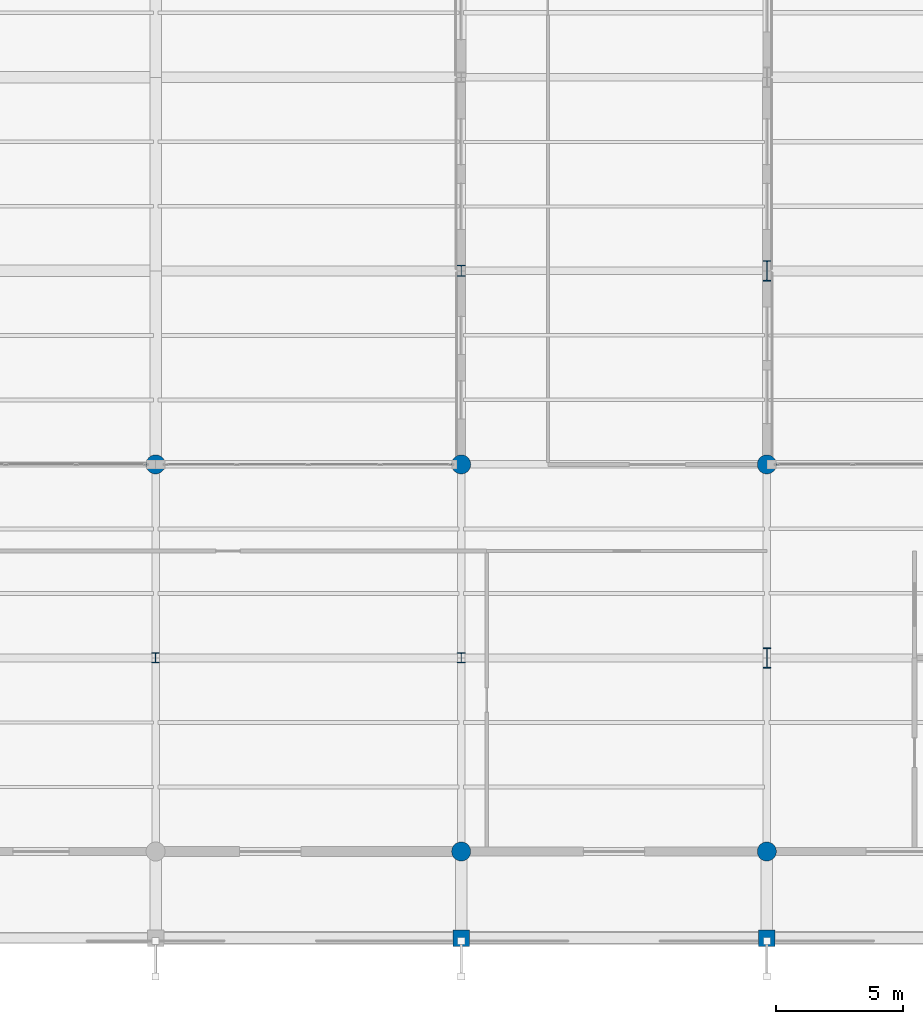
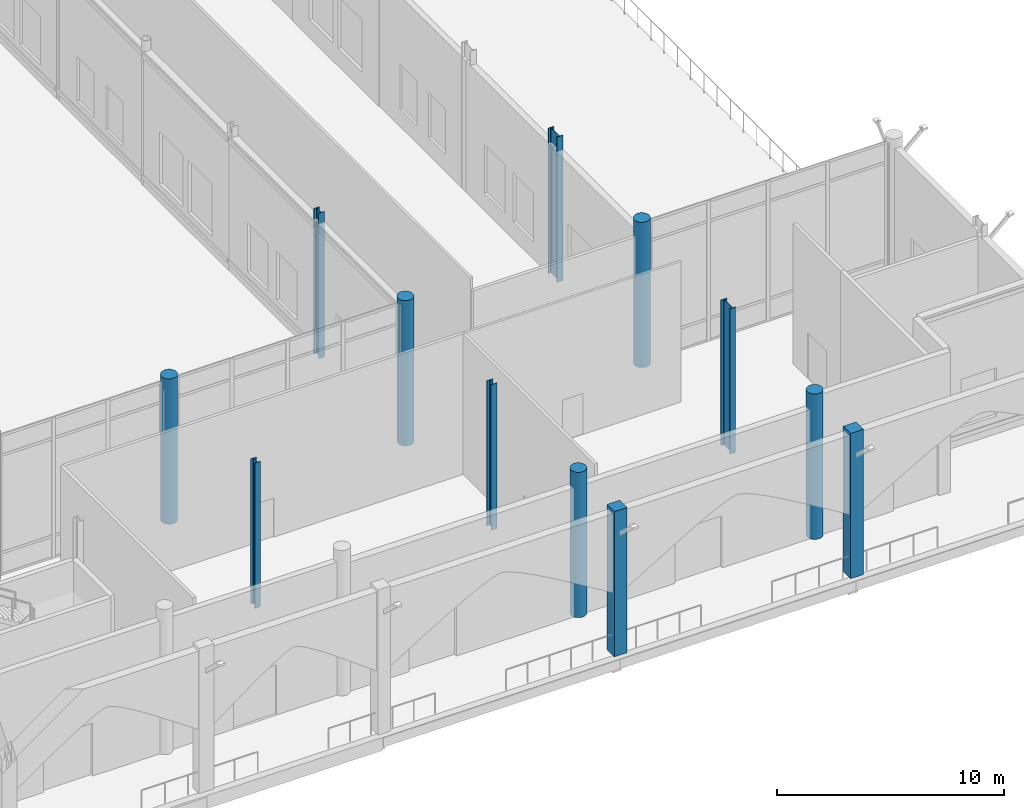
# One storey, part 15 of 176: 12 columns.
"""IFC4 building model written with IfcOpenShell, lengths in metres."""

from ifc_helpers import new_model, si_unit, direction, frame, origin, origin_2d, place, context, subcontext, project, spatial, rectangle, circle, i_section, extrude, material, material_profile, profile_set, type_object, element, save


model = new_model("IFC4")

# Units and contexts
model_context = context("Model", 3, precision=1e-05, world=origin(), true_north=direction((0.0, 1.0)))
body_context = subcontext(model_context, "Body", "Model", "MODEL_VIEW")
ifc_project = project(units=[si_unit("LENGTHUNIT", "METRE"), si_unit("AREAUNIT", "SQUARE_METRE"), si_unit("VOLUMEUNIT", "CUBIC_METRE"), si_unit("PLANEANGLEUNIT", "RADIAN"), si_unit("MASSUNIT", "GRAM", prefix="KILO")], contexts=[model_context])

# Site, building, storey
site_placement = place(None, origin())
site = spatial("IfcSite", under=ifc_project, at=site_placement, CompositionType="ELEMENT")
building_placement = place(site_placement, origin())
building = spatial("IfcBuilding", under=site, at=building_placement, Name="Vekula Escarpment Museum", CompositionType="ELEMENT")
storey_placement = place(building_placement, origin())
storey = spatial("IfcBuildingStorey", under=building, at=storey_placement, Name="L01", CompositionType="ELEMENT", Elevation=0.0)

# Columns
ifc_material_1 = material(Name="Concrete C35/45", Category="concrete")
ifc_material_profile_1 = material_profile(ifc_material_1, circle(Radius=0.375, at=origin_2d()), Name="RC COL D750")
ifc_profile_set_1 = profile_set([ifc_material_profile_1], Name="Concrete C35/45")
column_type_1 = type_object("IfcColumnType", Name="COL-RC-D750", PredefinedType="COLUMN", material=ifc_profile_set_1)
for number, where, z_axis, x_axis, name in (
    (1, (155.0, 15.199951171875, 0.0), (0.0, 0.0, 1.0), (1.0, 0.0, 0.0), "Column L01 (155.0,15.2)"),
    (2, (167.0, 0.0, 0.0), (0.0, 0.0, 1.0), (1.0, 0.0, 0.0), "Column L01 (167.0,0.0)"),
    (3, (167.0, 15.199951171875, 0.0), (0.0, 0.0, 1.0), (1.0, 0.0, 0.0), "Column L01 (167.0,15.2)"),
    (4, (179.0, 0.0, 0.0), (0.0, 0.0, 1.0), (1.0, 0.0, 0.0), "Column L01 (179.0,0.0)"),
    (5, (179.0, 15.199951171875, 0.0), (0.0, 0.0, 1.0), (1.0, 0.0, 0.0), "Column L01 (179.0,15.2)"),
):
    element("IfcColumn", number, at=place(storey_placement, frame(where, z_axis=z_axis, x_axis=x_axis)), inside=storey, type_object=column_type_1, Name=name, PredefinedType="COLUMN", context=body_context, shape_type="SweptSolid", body=[
        extrude(circle(Radius=0.375, at=origin_2d()), origin(), (0.0, 0.0, 1.0), 7.800048828125),
    ])
ifc_material_2 = material(Name="Steel S355", Category="steel")
ifc_material_profile_2 = material_profile(ifc_material_2, i_section(OverallWidth=0.300048828125, OverallDepth=0.389892578125, WebThickness=0.010986328125, FlangeThickness=0.01904296875, FilletRadius=0.027099609375, at=origin_2d()), Name="HEA 400")
ifc_profile_set_2 = profile_set([ifc_material_profile_2], Name="Steel S355")
column_type_2 = type_object("IfcColumnType", Name="COL-S-HEA400", PredefinedType="COLUMN", material=ifc_profile_set_2)
for number, where, z_axis, x_axis, name in (
    (6, (155.0, 7.60009765625, 0.0), (0.0, 0.0, 1.0), (1.0, 0.0, 0.0), "Column L01 (155.0,7.6)"),
    (7, (167.0, 7.60009765625, 0.0), (0.0, 0.0, 1.0), (1.0, 0.0, 0.0), "Column L01 (167.0,7.6)"),
):
    element("IfcColumn", number, at=place(storey_placement, frame(where, z_axis=z_axis, x_axis=x_axis)), inside=storey, type_object=column_type_2, Name=name, PredefinedType="COLUMN", context=body_context, shape_type="SweptSolid", body=[
        extrude(i_section(OverallWidth=0.300048828125, OverallDepth=0.389892578125, WebThickness=0.010986328125, FlangeThickness=0.01904296875, FilletRadius=0.027099609375, at=origin_2d()), origin(), (0.0, 0.0, 1.0), 7.800048828125),
    ])
ifc_material_3 = material(Name="Steel S355", Category="steel")
ifc_material_profile_3 = material_profile(ifc_material_3, i_section(OverallWidth=0.300048828125, OverallDepth=0.43994140625, WebThickness=0.011474609375, FlangeThickness=0.02099609375, FilletRadius=0.027099609375, at=origin_2d()), Name="HEA 450")
ifc_profile_set_3 = profile_set([ifc_material_profile_3], Name="Steel S355")
column_type_3 = type_object("IfcColumnType", Name="COL-S-HEA450", PredefinedType="COLUMN", material=ifc_profile_set_3)
column_placement = place(storey_placement, frame((167.0, 22.800048828125, 0.0), z_axis=(0.0, 0.0, 1.0), x_axis=(1.0, 0.0, 0.0)))
element("IfcColumn", 8, at=column_placement, inside=storey, type_object=column_type_3, Name="Column L01 (167.0,22.8)", PredefinedType="COLUMN", context=body_context, shape_type="SweptSolid", body=[
    extrude(i_section(OverallWidth=0.300048828125, OverallDepth=0.43994140625, WebThickness=0.011474609375, FlangeThickness=0.02099609375, FilletRadius=0.027099609375, at=origin_2d()), origin(), (0.0, 0.0, 1.0), 7.800048828125),
])
ifc_material_4 = material(Name="Steel S355", Category="steel")
ifc_material_profile_4 = material_profile(ifc_material_4, i_section(OverallWidth=0.300048828125, OverallDepth=0.800048828125, WebThickness=0.017578125, FlangeThickness=0.032958984375, FilletRadius=0.030029296875, at=origin_2d()), Name="HEB 800")
ifc_profile_set_4 = profile_set([ifc_material_profile_4], Name="Steel S355")
column_type_4 = type_object("IfcColumnType", Name="COL-S-HEB800", PredefinedType="COLUMN", material=ifc_profile_set_4)
for number, where, z_axis, x_axis, name in (
    (9, (179.0, 7.60009765625, 0.0), (0.0, 0.0, 1.0), (1.0, 0.0, 0.0), "Column L01 (179.0,7.6)"),
    (10, (179.0, 22.800048828125, 0.0), (0.0, 0.0, 1.0), (1.0, 0.0, 0.0), "Column L01 (179.0,22.8)"),
):
    element("IfcColumn", number, at=place(storey_placement, frame(where, z_axis=z_axis, x_axis=x_axis)), inside=storey, type_object=column_type_4, Name=name, PredefinedType="COLUMN", context=body_context, shape_type="SweptSolid", body=[
        extrude(i_section(OverallWidth=0.300048828125, OverallDepth=0.800048828125, WebThickness=0.017578125, FlangeThickness=0.032958984375, FilletRadius=0.030029296875, at=origin_2d()), origin(), (0.0, 0.0, 1.0), 7.800048828125),
    ])
ifc_material_5 = material(Name="Inkisi arkosic sandstone masonry", Category="masonry")
ifc_material_profile_5 = material_profile(ifc_material_5, rectangle(XDim=0.64990234375, YDim=0.64990234375, at=origin_2d()), Name="PIER 650x650")
ifc_profile_set_5 = profile_set([ifc_material_profile_5], Name="Inkisi arkosic sandstone masonry")
column_type_5 = type_object("IfcColumnType", Name="PIL-ALM-650", PredefinedType="PILASTER", material=ifc_profile_set_5)
for number, where, z_axis, x_axis, name in (
    (11, (167.0, -3.39990234375, 0.0), (0.0, 0.0, 1.0), (1.0, 0.0, 0.0), "Column L01 (167.0,-3.4)"),
    (12, (179.0, -3.39990234375, 0.0), (0.0, 0.0, 1.0), (1.0, 0.0, 0.0), "Column L01 (179.0,-3.4)"),
):
    element("IfcColumn", number, at=place(storey_placement, frame(where, z_axis=z_axis, x_axis=x_axis)), inside=storey, type_object=column_type_5, Name=name, PredefinedType="PILASTER", context=body_context, shape_type="SweptSolid", body=[
        extrude(rectangle(XDim=0.64990234375, YDim=0.64990234375, at=origin_2d()), origin(), (0.0, 0.0, 1.0), 7.800048828125),
    ])

save(model, "model.ifc")
